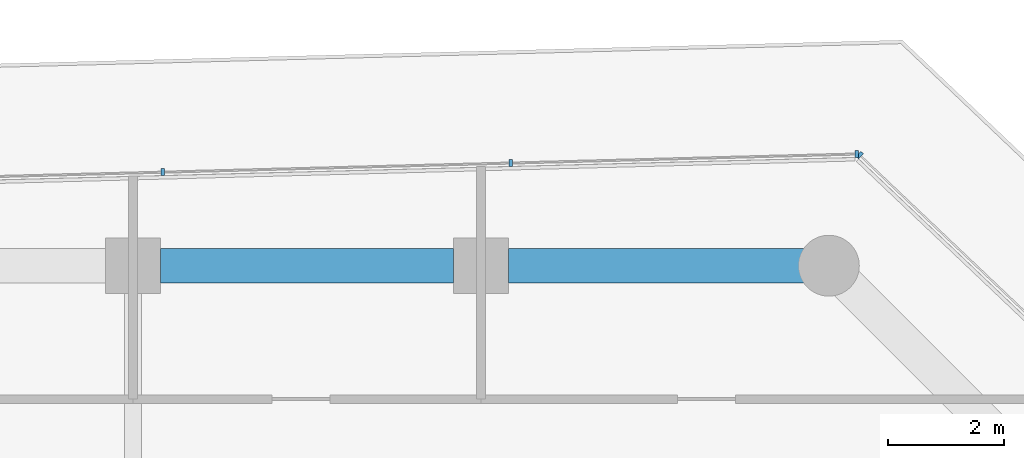
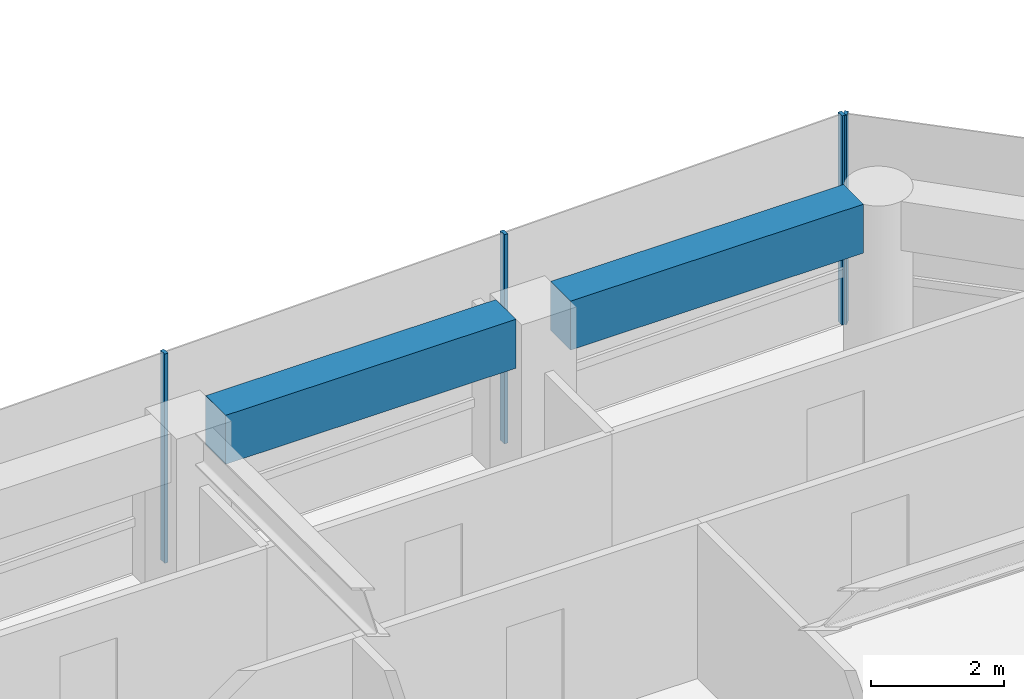
# One storey, part 12 of 29: 4 members, 2 beams, 2 elements without a shape of their own.
"""IFC4 building model written with IfcOpenShell, lengths in metres."""

from ifc_helpers import new_model, si_unit, direction, frame, origin, origin_2d, place, context, subcontext, project, spatial, rectangle, extrude, material, layer, layer_set, material_profile, profile_set, type_object, element, aggregate, save


model = new_model("IFC4")

# Units and contexts
model_context = context("Model", 3, precision=1e-05, world=origin(), true_north=direction((0.0, 1.0)))
body_context = subcontext(model_context, "Body", "Model", "MODEL_VIEW")
ifc_project = project(units=[si_unit("LENGTHUNIT", "METRE"), si_unit("AREAUNIT", "SQUARE_METRE"), si_unit("VOLUMEUNIT", "CUBIC_METRE"), si_unit("PLANEANGLEUNIT", "RADIAN"), si_unit("MASSUNIT", "GRAM", prefix="KILO")], contexts=[model_context])

# Site, building, storey
site_placement = place(None, origin())
site = spatial("IfcSite", under=ifc_project, at=site_placement, CompositionType="ELEMENT")
building_placement = place(site_placement, origin())
building = spatial("IfcBuilding", under=site, at=building_placement, Name="Welwitschia Terrace Campus", CompositionType="ELEMENT")
storey_placement = place(building_placement, frame((0.0, 0.0, 58.39990234375)))
storey = spatial("IfcBuildingStorey", under=building, at=storey_placement, Name="L13", CompositionType="ELEMENT", Elevation=58.39990234375)

# Curtain wall, member
ifc_material_1 = material(Name="Bronze anodised aluminium", Category="aluminium")
ifc_layer = layer(ifc_material_1, 0.1201171875)
ifc_layer_set = layer_set([ifc_layer], Name="Bronze anodised aluminium")
curtain_wall_type = type_object("IfcCurtainWallType", Name="Curtain wall CW2 tower 6000", PredefinedType="NOTDEFINED", material=ifc_layer_set)
curtain_wall_1_placement = place(storey_placement, origin())
curtain_wall_1 = element("IfcCurtainWall", 1, at=curtain_wall_1_placement, inside=storey, type_object=curtain_wall_type, Name="CW L13.6.0", PredefinedType="NOTDEFINED")
ifc_material_2 = material(Name="Bronze anodised aluminium", Category="aluminium")
ifc_material_profile_1 = material_profile(ifc_material_2, rectangle(XDim=0.1201171875, YDim=0.06005859375, at=origin_2d()))
ifc_profile_set_1 = profile_set([ifc_material_profile_1], Name="Bronze anodised aluminium")
member_type = type_object("IfcMemberType", Name="Mullion 60x120", PredefinedType="MULLION", material=ifc_profile_set_1)
member_1_placement = place(storey_placement, frame((60.533203125, 21.90673828125, 0.0), z_axis=(0.0, 0.0, 1.0), x_axis=(-0.688354575694, -0.725374371012, 0.0)))
member_1 = element("IfcMember", 2, at=member_1_placement, type_object=member_type, Name="Mullion L13.6.0.2", PredefinedType="MULLION", context=body_context, shape_type="SweptSolid", body=[
    extrude(rectangle(XDim=0.1201171875, YDim=0.06005859375, at=origin_2d()), origin(), (0.0, 0.0, 1.0), 3.85009765625),
])
aggregate(curtain_wall_1, [member_1])

# Curtain wall, members
curtain_wall_2_placement = place(storey_placement, origin())
curtain_wall_2 = element("IfcCurtainWall", 3, at=curtain_wall_2_placement, inside=storey, type_object=curtain_wall_type, Name="CW L13.7.0", PredefinedType="NOTDEFINED")
member_2_placement = place(storey_placement, frame((60.4814453125, 21.926513671875, 0.0), z_axis=(0.0, 0.0, 1.0), x_axis=(0.026176948308, -0.999657324976, 0.0)))
member_2 = element("IfcMember", 4, at=member_2_placement, type_object=member_type, Name="Mullion L13.7.0.0", PredefinedType="MULLION", context=body_context, shape_type="SweptSolid", body=[
    extrude(rectangle(XDim=0.1201171875, YDim=0.06005859375, at=origin_2d()), origin(), (0.0, 0.0, 1.0), 3.85009765625),
])
member_3_placement = place(storey_placement, frame((54.513427734375, 21.770263671875, 0.0), z_axis=(0.0, 0.0, 1.0), x_axis=(0.026176948308, -0.999657324976, 0.0)))
member_3 = element("IfcMember", 5, at=member_3_placement, type_object=member_type, Name="Mullion L13.7.0.1", PredefinedType="MULLION", context=body_context, shape_type="SweptSolid", body=[
    extrude(rectangle(XDim=0.1201171875, YDim=0.06005859375, at=origin_2d()), origin(), (0.0, 0.0, 1.0), 3.85009765625),
])
member_4_placement = place(storey_placement, frame((48.515380859375, 21.61328125, 0.0), z_axis=(0.0, 0.0, 1.0), x_axis=(0.026176948308, -0.999657324976, 0.0)))
member_4 = element("IfcMember", 6, at=member_4_placement, type_object=member_type, Name="Mullion L13.7.0.2", PredefinedType="MULLION", context=body_context, shape_type="SweptSolid", body=[
    extrude(rectangle(XDim=0.1201171875, YDim=0.06005859375, at=origin_2d()), origin(), (0.0, 0.0, 1.0), 3.85009765625),
])
aggregate(curtain_wall_2, [member_2, member_3, member_4])

# Beams
ifc_material_3 = material(Name="Concrete C60/75", Category="concrete")
ifc_material_profile_2 = material_profile(ifc_material_3, rectangle(XDim=0.60009765625, YDim=0.89990234375, at=origin_2d()))
ifc_profile_set_2 = profile_set([ifc_material_profile_2], Name="Concrete C60/75")
beam_type = type_object("IfcBeamType", Name="Ring spandrel 600x900", PredefinedType="SPANDREL", material=ifc_profile_set_2)
beam_1_placement = place(storey_placement, frame((59.568603515625, 20.0, 3.400146484375), z_axis=(-1.0, 0.0, 0.0), x_axis=(0.0, -1.0, 0.0)))
element("IfcBeam", 7, at=beam_1_placement, inside=storey, type_object=beam_type, Name="Spandrel SP2", PredefinedType="SPANDREL", context=body_context, shape_type="SweptSolid", body=[
    extrude(rectangle(XDim=0.60009765625, YDim=0.89990234375, at=origin_2d()), origin(), (0.0, 0.0, 1.0), 5.093017578125),
])
beam_2_placement = place(storey_placement, frame((53.5244140625, 20.0, 3.400146484375), z_axis=(-1.0, 0.0, 0.0), x_axis=(0.0, -1.0, 0.0)))
element("IfcBeam", 8, at=beam_2_placement, inside=storey, type_object=beam_type, Name="Spandrel SP2", PredefinedType="SPANDREL", context=body_context, shape_type="SweptSolid", body=[
    extrude(rectangle(XDim=0.60009765625, YDim=0.89990234375, at=origin_2d()), origin(), (0.0, 0.0, 1.0), 5.048828125),
])

save(model, "model.ifc")
